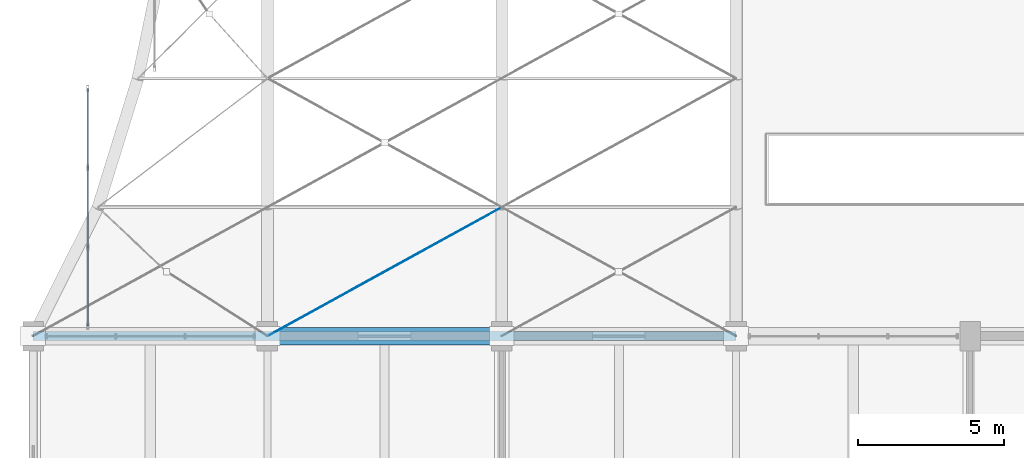
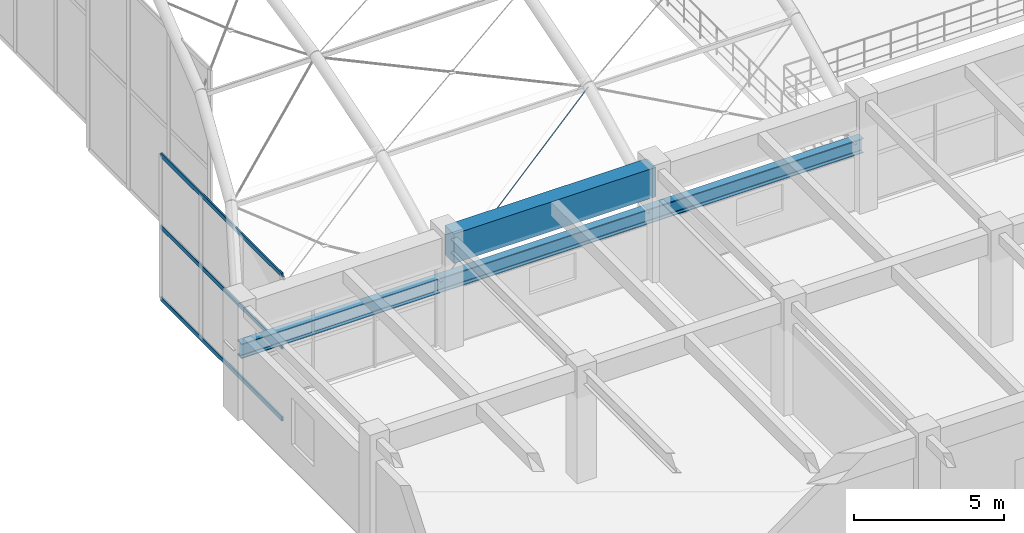
# One storey, part 9 of 144: 4 members, 2 beams, 1 element without a shape of its own.
"""IFC4 building model written with IfcOpenShell, lengths in metres."""

from ifc_helpers import new_model, si_unit, direction, frame, origin, origin_2d, place, context, subcontext, project, spatial, rectangle, hollow_rectangle, circle, i_section, extrude, material, material_profile, profile_set, type_object, element, aggregate, save


model = new_model("IFC4")

# Units and contexts
model_context = context("Model", 3, precision=1e-05, world=origin(), true_north=direction((0.0, 1.0)))
body_context = subcontext(model_context, "Body", "Model", "MODEL_VIEW")
ifc_project = project(units=[si_unit("LENGTHUNIT", "METRE"), si_unit("AREAUNIT", "SQUARE_METRE"), si_unit("VOLUMEUNIT", "CUBIC_METRE"), si_unit("PLANEANGLEUNIT", "RADIAN"), si_unit("MASSUNIT", "GRAM", prefix="KILO")], contexts=[model_context])

# Site, building, storey
site_placement = place(None, origin())
site = spatial("IfcSite", under=ifc_project, at=site_placement, CompositionType="ELEMENT")
building_placement = place(site_placement, origin())
building = spatial("IfcBuilding", under=site, at=building_placement, Name="Varnabhumi Central Station", CompositionType="ELEMENT")
storey_placement = place(building_placement, frame((0.0, 0.0, 4.800048828125)))
storey = spatial("IfcBuildingStorey", under=building, at=storey_placement, Name="L01", CompositionType="ELEMENT", Elevation=4.800048828125)

# Beams
ifc_material_1 = material(Name="Concrete M50", Category="concrete")
ifc_material_profile_1 = material_profile(ifc_material_1, rectangle(XDim=0.60009765625, YDim=1.199951171875, at=origin_2d()), Name="Concrete M50", Category="concrete")
ifc_profile_set_1 = profile_set([ifc_material_profile_1], Name="Concrete M50")
beam_type_1 = type_object("IfcBeamType", Name="BM-RC-1200x600", PredefinedType="BEAM", material=ifc_profile_set_1)
beam_1_placement = place(storey_placement, frame((8.10009765625, 36.0, 3.949951171875), z_axis=(1.0, 0.0, 0.0), x_axis=(0.0, 1.0, 0.0)))
element("IfcBeam", 1, at=beam_1_placement, inside=storey, type_object=beam_type_1, Name="Beam L01-E:2-3", PredefinedType="BEAM", context=body_context, shape_type="SweptSolid", body=[
    extrude(rectangle(XDim=0.60009765625, YDim=1.199951171875, at=origin_2d()), origin(), (0.0, 0.0, 1.0), 7.7998046875),
])
ifc_material_2 = material(Name="Structural steel E350", Category="steel")
ifc_material_profile_2 = material_profile(ifc_material_2, i_section(OverallWidth=0.300048828125, OverallDepth=0.60009765625, WebThickness=0.015380859375, FlangeThickness=0.030029296875, FilletRadius=0.027099609375, at=origin_2d()), Name="Structural steel E350", Category="steel")
ifc_profile_set_2 = profile_set([ifc_material_profile_2], Name="Structural steel E350")
beam_type_2 = type_object("IfcBeamType", Name="BM-RING-WPB600", PredefinedType="BEAM", material=ifc_profile_set_2)
beam_2_placement = place(storey_placement, frame((0.0, 36.0, 2.510009765625), z_axis=(1.0, 0.0, 0.0), x_axis=(0.0, 1.0, 0.0)))
element("IfcBeam", 2, at=beam_2_placement, inside=storey, type_object=beam_type_2, Name="Forecourt Arrival Canopy Vault Compression Ring Beam S", PredefinedType="BEAM", context=body_context, shape_type="SweptSolid", body=[
    extrude(i_section(OverallWidth=0.300048828125, OverallDepth=0.60009765625, WebThickness=0.015380859375, FlangeThickness=0.030029296875, FilletRadius=0.027099609375, at=origin_2d()), origin(), (0.0, 0.0, 1.0), 24.0),
])

# Curtain wall, members
ifc_material_3 = material(Name="Anodised aluminium 6063-T6", Category="aluminium")
curtain_wall_type = type_object("IfcCurtainWallType", Name="CW-VAULT-ARCH-V1", PredefinedType="NOTDEFINED", material=ifc_material_3)
curtain_wall_placement = place(storey_placement, origin())
curtain_wall = element("IfcCurtainWall", 3, at=curtain_wall_placement, inside=storey, type_object=curtain_wall_type, Name="Curtain Wall CW-V11", PredefinedType="NOTDEFINED")
ifc_material_profile_3 = material_profile(ifc_material_3, hollow_rectangle(XDim=0.06494140625, YDim=0.179931640625, WallThickness=0.00390625, InnerFilletRadius=0.001953125, OuterFilletRadius=0.006103515625, at=origin_2d()), Name="Anodised aluminium 6063-T6", Category="aluminium")
ifc_profile_set_3 = profile_set([ifc_material_profile_3], Name="Anodised aluminium 6063-T6")
member_type_1 = type_object("IfcMemberType", Name="CW-TR-180", PredefinedType="USERDEFINED", material=ifc_profile_set_3)
member_1_placement = place(storey_placement, frame((1.864013671875, 36.35009765625, -1.199951171875), z_axis=(0.0, 1.0, 0.0), x_axis=(-1.0, 0.0, 0.0)))
member_1 = element("IfcMember", 4, at=member_1_placement, type_object=member_type_1, Name="Curtain Wall Transom CW-V11-T1", ObjectType="TRANSOM", PredefinedType="USERDEFINED", context=body_context, shape_type="SweptSolid", body=[
    extrude(hollow_rectangle(XDim=0.06494140625, YDim=0.179931640625, WallThickness=0.00390625, InnerFilletRadius=0.001953125, OuterFilletRadius=0.006103515625, at=origin_2d()), origin(), (0.0, 0.0, 1.0), 8.099853515625),
])
member_2_placement = place(storey_placement, frame((1.864013671875, 36.35009765625, 1.73193359375), z_axis=(0.0, 1.0, 0.0), x_axis=(-1.0, 0.0, 0.0)))
member_2 = element("IfcMember", 5, at=member_2_placement, type_object=member_type_1, Name="Curtain Wall Transom CW-V11-T2", ObjectType="TRANSOM", PredefinedType="USERDEFINED", context=body_context, shape_type="SweptSolid", body=[
    extrude(hollow_rectangle(XDim=0.06494140625, YDim=0.179931640625, WallThickness=0.00390625, InnerFilletRadius=0.001953125, OuterFilletRadius=0.006103515625, at=origin_2d()), origin(), (0.0, 0.0, 1.0), 8.099853515625),
])
member_3_placement = place(storey_placement, frame((1.864013671875, 36.35009765625, 4.663818359375), z_axis=(0.0, 1.0, 0.0), x_axis=(-1.0, 0.0, 0.0)))
member_3 = element("IfcMember", 6, at=member_3_placement, type_object=member_type_1, Name="Curtain Wall Transom CW-V11-T3", ObjectType="TRANSOM", PredefinedType="USERDEFINED", context=body_context, shape_type="SweptSolid", body=[
    extrude(hollow_rectangle(XDim=0.06494140625, YDim=0.179931640625, WallThickness=0.00390625, InnerFilletRadius=0.001953125, OuterFilletRadius=0.006103515625, at=origin_2d()), origin(), (0.0, 0.0, 1.0), 8.099853515625),
])
aggregate(curtain_wall, [member_1, member_2, member_3])

# Member
ifc_material_4 = material(Name="Spiral-strand steel S1570", Category="steel")
ifc_material_profile_4 = material_profile(ifc_material_4, circle(Radius=0.013916015625, at=origin_2d()), Name="Spiral-strand steel S1570", Category="steel")
ifc_profile_set_4 = profile_set([ifc_material_profile_4], Name="Spiral-strand steel S1570")
member_type_2 = type_object("IfcMemberType", Name="MBR-CABLE-D28", PredefinedType="USERDEFINED", material=ifc_profile_set_4)
member_4_placement = place(storey_placement, frame((8.0, 36.0, 2.719970703125), z_axis=(0.851544146337, 0.468338885659, 0.235650705535), x_axis=(-0.481910537812, 0.876220425204, 0.0)))
element("IfcMember", 7, at=member_4_placement, inside=storey, type_object=member_type_2, Name="Forecourt Arrival Canopy Vault Cable-Net Tie B2-P1A", ObjectType="TENSION CABLE", PredefinedType="USERDEFINED", context=body_context, shape_type="SweptSolid", body=[
    extrude(circle(Radius=0.013916015625, at=origin_2d()), origin(), (0.0, 0.0, 1.0), 9.394775390625),
])

save(model, "model.ifc")
